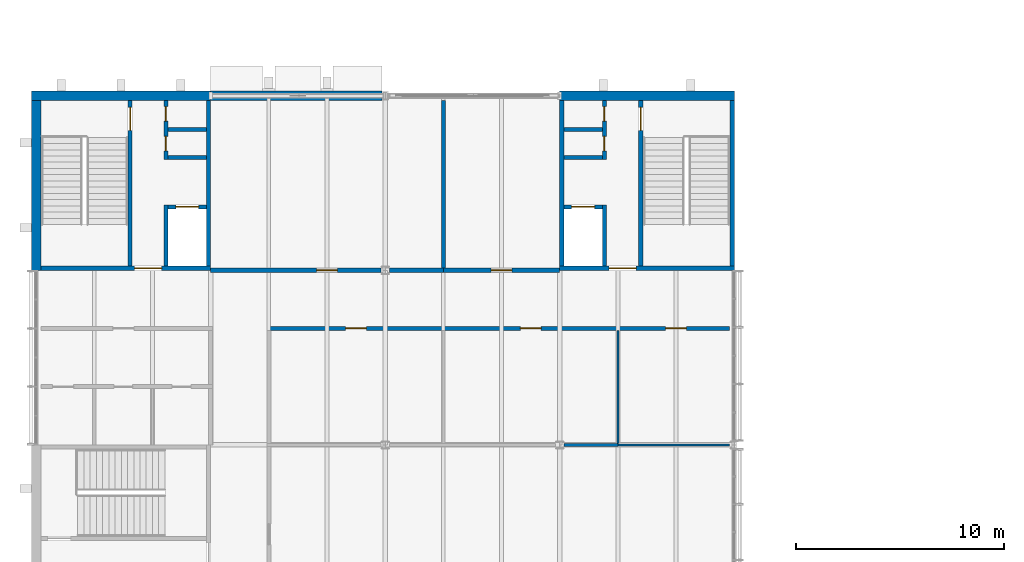
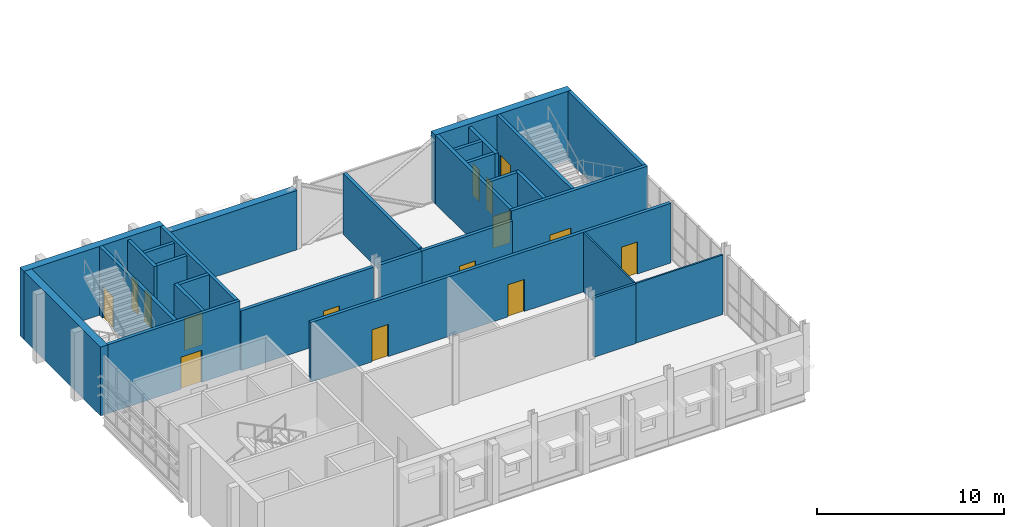
# One storey, part 15 of 22: 29 walls, 15 doors, 15 openings.
"""IFC4 building model written with IfcOpenShell, lengths in metres."""

from ifc_helpers import new_model, si_unit, direction, frame, frame_2d, origin, place, context, subcontext, project, spatial, rectangle, extrude, material, layer, layer_set, type_object, element, fill, save


model = new_model("IFC4")

# Units and contexts
model_context = context("Model", 3, precision=1e-05, world=origin(), true_north=direction((0.0, 1.0)))
body_context = subcontext(model_context, "Body", "Model", "MODEL_VIEW")
ifc_project = project(units=[si_unit("LENGTHUNIT", "METRE"), si_unit("AREAUNIT", "SQUARE_METRE"), si_unit("VOLUMEUNIT", "CUBIC_METRE"), si_unit("PLANEANGLEUNIT", "RADIAN"), si_unit("MASSUNIT", "GRAM", prefix="KILO")], contexts=[model_context])

# Site, building, storey
site_placement = place(None, origin())
site = spatial("IfcSite", under=ifc_project, at=site_placement, CompositionType="ELEMENT")
building_placement = place(site_placement, origin())
building = spatial("IfcBuilding", under=site, at=building_placement, Name="Ardhachandra Cancer Care Centre", CompositionType="ELEMENT")
storey_placement = place(building_placement, frame((0.0, 0.0, 18.0)))
storey = spatial("IfcBuildingStorey", under=building, at=storey_placement, Name="L04", CompositionType="ELEMENT", Elevation=18.0)

# Wall, openings, doors
ifc_material_1 = material(Name="Gypsum board corridor partition on steel studs", Category="steel")
ifc_layer_1 = layer(ifc_material_1, 0.199951171875)
ifc_layer_set_1 = layer_set([ifc_layer_1], Name="Gypsum board corridor partition on steel studs")
wall_type_1 = type_object("IfcWallType", Name="CORRIDOR WALL 200", PredefinedType="PARTITIONING", material=ifc_layer_set_1)
wall_1_placement = place(storey_placement, frame((21.89990234375, 85.39990234375, 0.0), z_axis=(0.0, 0.0, 1.0), x_axis=(1.0, 0.0, 0.0)))
wall_1 = element("IfcWall", 1, at=wall_1_placement, inside=storey, type_object=wall_type_1, Name="R/wall/L04/h0085400_0021900", PredefinedType="PARTITIONING", context=body_context, shape_type="SweptSolid", body=[
    extrude(rectangle(XDim=22.275146484375, YDim=0.199951171875, at=frame_2d((11.1376953125, 0.0))), origin(), (0.0, 0.0, 1.0), 3.89990234375),
])
opening_1_placement = place(wall_1_placement, frame((3.800048828125, 0.0, 0.0)))
opening_1 = element("IfcOpeningElement", 2, at=opening_1_placement, cuts=wall_1, Name="Opening L04-0006", PredefinedType="OPENING", context=body_context, shape_type="SweptSolid", body=[
    extrude(rectangle(XDim=1.0, YDim=2.10009765625, at=frame_2d((0.5, 1.050048828125))), frame((0.0, 0.10986328125, 0.0), z_axis=(0.0, -1.0, 0.0), x_axis=(1.0, 0.0, 0.0)), (0.0, 0.0, 1.0), 0.219970703125),
])
opening_2_placement = place(wall_1_placement, frame((12.199951171875, 0.0, 0.0)))
opening_2 = element("IfcOpeningElement", 3, at=opening_2_placement, cuts=wall_1, Name="Opening L04-0007", PredefinedType="OPENING", context=body_context, shape_type="SweptSolid", body=[
    extrude(rectangle(XDim=1.0, YDim=2.10009765625, at=frame_2d((0.5, 1.050048828125))), frame((0.0, 0.10986328125, 0.0), z_axis=(0.0, -1.0, 0.0), x_axis=(1.0, 0.0, 0.0)), (0.0, 0.0, 1.0), 0.219970703125),
])
opening_3_placement = place(wall_1_placement, frame((19.199951171875, 0.0, 0.0)))
opening_3 = element("IfcOpeningElement", 4, at=opening_3_placement, cuts=wall_1, Name="Opening L04-0008", PredefinedType="OPENING", context=body_context, shape_type="SweptSolid", body=[
    extrude(rectangle(XDim=1.0, YDim=2.10009765625, at=frame_2d((0.5, 1.050048828125))), frame((0.0, 0.10986328125, 0.0), z_axis=(0.0, -1.0, 0.0), x_axis=(1.0, 0.0, 0.0)), (0.0, 0.0, 1.0), 0.219970703125),
])
ifc_material_2 = material(Name="Timber fire door with smoke seals", Category="wood")
door_type_1 = type_object("IfcDoorType", Name="FIRE DOOR SINGLE 1000x2100 FD30S", OperationType="NOTDEFINED", PredefinedType="DOOR", material=ifc_material_2)
door_1_placement = place(opening_1_placement, origin())
door_1 = element("IfcDoor", 5, at=door_1_placement, inside=storey, type_object=door_type_1, Name="Door L04-0006", OperationType="SINGLE_SWING_LEFT", OverallHeight=2.10009765625, OverallWidth=1.0, PredefinedType="DOOR", context=body_context, shape_type="SweptSolid", body=[
    extrude(rectangle(XDim=1.0, YDim=2.10009765625, at=frame_2d((0.5, 1.050048828125))), frame((0.0, 0.02490234375, 0.0), z_axis=(0.0, -1.0, 0.0), x_axis=(1.0, 0.0, 0.0)), (0.0, 0.0, 1.0), 0.050048828125),
])
fill(opening_1, door_1)
door_2_placement = place(opening_2_placement, origin())
door_2 = element("IfcDoor", 6, at=door_2_placement, inside=storey, type_object=door_type_1, Name="Door L04-0007", OperationType="SINGLE_SWING_RIGHT", OverallHeight=2.10009765625, OverallWidth=1.0, PredefinedType="DOOR", context=body_context, shape_type="SweptSolid", body=[
    extrude(rectangle(XDim=1.0, YDim=2.10009765625, at=frame_2d((0.5, 1.050048828125))), frame((0.0, 0.02490234375, 0.0), z_axis=(0.0, -1.0, 0.0), x_axis=(1.0, 0.0, 0.0)), (0.0, 0.0, 1.0), 0.050048828125),
])
fill(opening_2, door_2)
door_3_placement = place(opening_3_placement, origin())
door_3 = element("IfcDoor", 7, at=door_3_placement, inside=storey, type_object=door_type_1, Name="Door L04-0008", OperationType="SINGLE_SWING_LEFT", OverallHeight=2.10009765625, OverallWidth=1.0, PredefinedType="DOOR", context=body_context, shape_type="SweptSolid", body=[
    extrude(rectangle(XDim=1.0, YDim=2.10009765625, at=frame_2d((0.5, 1.050048828125))), frame((0.0, 0.02490234375, 0.0), z_axis=(0.0, -1.0, 0.0), x_axis=(1.0, 0.0, 0.0)), (0.0, 0.0, 1.0), 0.050048828125),
])
fill(opening_3, door_3)

# Wall, opening, door
wall_2_placement = place(storey_placement, frame((30.39990234375, 88.199951171875, 0.0), z_axis=(0.0, 0.0, 1.0), x_axis=(1.0, 0.0, 0.0)))
wall_2 = element("IfcWall", 8, at=wall_2_placement, inside=storey, type_object=wall_type_1, Name="R/wall/L04/h0088200_0030400", PredefinedType="PARTITIONING", context=body_context, shape_type="SweptSolid", body=[
    extrude(rectangle(XDim=5.60009765625, YDim=0.199951171875, at=frame_2d((2.800048828125, 0.0))), origin(), (0.0, 0.0, 1.0), 3.89990234375),
])
opening_4_placement = place(wall_2_placement, frame((2.300048828125, 0.0, 0.0)))
opening_4 = element("IfcOpeningElement", 9, at=opening_4_placement, cuts=wall_2, Name="Opening L04-0010", PredefinedType="OPENING", context=body_context, shape_type="SweptSolid", body=[
    extrude(rectangle(XDim=1.0, YDim=2.10009765625, at=frame_2d((0.5, 1.050048828125))), frame((0.0, 0.10986328125, 0.0), z_axis=(0.0, -1.0, 0.0), x_axis=(1.0, 0.0, 0.0)), (0.0, 0.0, 1.0), 0.219970703125),
])
door_4_placement = place(opening_4_placement, origin())
door_4 = element("IfcDoor", 10, at=door_4_placement, inside=storey, type_object=door_type_1, Name="Door L04-0010", OperationType="SINGLE_SWING_LEFT", OverallHeight=2.10009765625, OverallWidth=1.0, PredefinedType="DOOR", context=body_context, shape_type="SweptSolid", body=[
    extrude(rectangle(XDim=1.0, YDim=2.10009765625, at=frame_2d((0.5, 1.050048828125))), frame((0.0, 0.02490234375, 0.0), z_axis=(0.0, -1.0, 0.0), x_axis=(1.0, 0.0, 0.0)), (0.0, 0.0, 1.0), 0.050048828125),
])
fill(opening_4, door_4)

# Walls
ifc_material_3 = material(Name="Concrete M40", Category="concrete")
ifc_layer_2 = layer(ifc_material_3, 0.449951171875)
ifc_layer_set_2 = layer_set([ifc_layer_2], Name="Concrete M40")
wall_type_2 = type_object("IfcWallType", Name="Core exterior wall RC 450", PredefinedType="SOLIDWALL", material=ifc_layer_set_2)
wall_3_placement = place(storey_placement, frame((10.574951171875, 96.60009765625, 0.0), z_axis=(0.0, 0.0, 1.0), x_axis=(1.0, 0.0, 0.0)))
element("IfcWall", 11, at=wall_3_placement, inside=storey, type_object=wall_type_2, Name="Core wall K4 FAR", PredefinedType="SOLIDWALL", context=body_context, shape_type="SweptSolid", body=[
    extrude(rectangle(XDim=8.625, YDim=0.449951171875, at=frame_2d((4.3125, 0.0))), origin(), (0.0, 0.0, 1.0), 4.5),
])
wall_4_placement = place(storey_placement, frame((10.800048828125, 88.199951171875, 0.0), z_axis=(0.0, 0.0, 1.0), x_axis=(0.0, 1.0, 0.0)))
element("IfcWall", 12, at=wall_4_placement, inside=storey, type_object=wall_type_2, Name="Core wall K4 UW", PredefinedType="SOLIDWALL", context=body_context, shape_type="SweptSolid", body=[
    extrude(rectangle(XDim=8.175048828125, YDim=0.449951171875, at=frame_2d((4.08740234375, 0.0))), origin(), (0.0, 0.0, 1.0), 4.5),
])
wall_5_placement = place(storey_placement, frame((44.39990234375, 96.60009765625, 0.0), z_axis=(0.0, 0.0, 1.0), x_axis=(-1.0, 0.0, 0.0)))
element("IfcWall", 13, at=wall_5_placement, inside=storey, type_object=wall_type_2, Name="Core wall K5 FAR", PredefinedType="SOLIDWALL", context=body_context, shape_type="SweptSolid", body=[
    extrude(rectangle(XDim=8.39990234375, YDim=0.449951171875, at=frame_2d((4.199951171875, 0.0))), origin(), (0.0, 0.0, 1.0), 4.5),
])

# Wall, opening, door
ifc_material_4 = material(Name="Concrete M40", Category="concrete")
ifc_layer_3 = layer(ifc_material_4, 0.199951171875)
ifc_layer_set_3 = layer_set([ifc_layer_3], Name="Concrete M40")
wall_type_3 = type_object("IfcWallType", Name="Core wall RC 200", PredefinedType="SOLIDWALL", material=ifc_layer_set_3)
wall_6_placement = place(storey_placement, frame((11.02490234375, 88.300048828125, 0.0), z_axis=(0.0, 0.0, 1.0), x_axis=(1.0, 0.0, 0.0)))
wall_6 = element("IfcWall", 14, at=wall_6_placement, inside=storey, type_object=wall_type_3, Name="Core wall K4 ENT", PredefinedType="SOLIDWALL", context=body_context, shape_type="SweptSolid", body=[
    extrude(rectangle(XDim=8.175048828125, YDim=0.199951171875, at=frame_2d((4.08740234375, 0.0))), origin(), (0.0, 0.0, 1.0), 4.5),
])
opening_5_placement = place(wall_6_placement, frame((4.512451171875, 0.0, 0.0)))
opening_5 = element("IfcOpeningElement", 15, at=opening_5_placement, cuts=wall_6, Name="Opening L04-K04-1", PredefinedType="OPENING", context=body_context, shape_type="SweptSolid", body=[
    extrude(rectangle(XDim=1.300048828125, YDim=2.10009765625, at=frame_2d((0.64990234375, 1.050048828125))), frame((0.0, 0.10986328125, 0.0), z_axis=(0.0, -1.0, 0.0), x_axis=(1.0, 0.0, 0.0)), (0.0, 0.0, 1.0), 0.219970703125),
])
ifc_material_5 = material(Name="Steel door set", Category="steel")
door_type_2 = type_object("IfcDoorType", Name="Core entry double door 1300x2100 FD60", OperationType="DOUBLE_DOOR_DOUBLE_SWING", PredefinedType="DOOR", material=ifc_material_5)
door_5_placement = place(opening_5_placement, origin())
door_5 = element("IfcDoor", 16, at=door_5_placement, inside=storey, type_object=door_type_2, Name="Core entry door", OperationType="DOUBLE_DOOR_DOUBLE_SWING", OverallHeight=2.10009765625, OverallWidth=1.300048828125, PredefinedType="DOOR", context=body_context, shape_type="SweptSolid", body=[
    extrude(rectangle(XDim=1.300048828125, YDim=2.10009765625, at=frame_2d((0.64990234375, 1.050048828125))), frame((0.0, 0.02490234375, 0.0), z_axis=(0.0, -1.0, 0.0), x_axis=(1.0, 0.0, 0.0)), (0.0, 0.0, 1.0), 0.050048828125),
])
fill(opening_5, door_5)

# Wall
wall_7_placement = place(storey_placement, frame((19.10009765625, 88.39990234375, 0.0), z_axis=(0.0, 0.0, 1.0), x_axis=(0.0, 1.0, 0.0)))
element("IfcWall", 17, at=wall_7_placement, inside=storey, type_object=wall_type_3, Name="Core wall K4 UE", PredefinedType="SOLIDWALL", context=body_context, shape_type="SweptSolid", body=[
    extrude(rectangle(XDim=7.97509765625, YDim=0.199951171875, at=frame_2d((3.987548828125, 0.0))), origin(), (0.0, 0.0, 1.0), 4.5),
])

# Wall, opening, door
wall_8_placement = place(storey_placement, frame((15.324951171875, 88.39990234375, 0.0), z_axis=(0.0, 0.0, 1.0), x_axis=(0.0, 1.0, 0.0)))
wall_8 = element("IfcWall", 18, at=wall_8_placement, inside=storey, type_object=wall_type_3, Name="Core wall K4 P1", PredefinedType="SOLIDWALL", context=body_context, shape_type="SweptSolid", body=[
    extrude(rectangle(XDim=7.97509765625, YDim=0.199951171875, at=frame_2d((3.987548828125, 0.0))), origin(), (0.0, 0.0, 1.0), 4.5),
])
opening_6_placement = place(wall_8_placement, frame((6.53759765625, 0.0, 0.0)))
opening_6 = element("IfcOpeningElement", 19, at=opening_6_placement, cuts=wall_8, Name="Opening L04-K04-2", PredefinedType="OPENING", context=body_context, shape_type="SweptSolid", body=[
    extrude(rectangle(XDim=1.10009765625, YDim=2.10009765625, at=frame_2d((0.550048828125, 1.050048828125))), frame((0.0, 0.10986328125, 0.0), z_axis=(0.0, -1.0, 0.0), x_axis=(1.0, 0.0, 0.0)), (0.0, 0.0, 1.0), 0.219970703125),
])
ifc_material_6 = material(Name="Steel door set", Category="steel")
door_type_3 = type_object("IfcDoorType", Name="Stair door 1100x2100 FD60S", OperationType="NOTDEFINED", PredefinedType="DOOR", material=ifc_material_6)
door_6_placement = place(opening_6_placement, origin())
door_6 = element("IfcDoor", 20, at=door_6_placement, inside=storey, type_object=door_type_3, Name="Stair door", OperationType="SINGLE_SWING_RIGHT", OverallHeight=2.10009765625, OverallWidth=1.10009765625, PredefinedType="DOOR", context=body_context, shape_type="SweptSolid", body=[
    extrude(rectangle(XDim=1.10009765625, YDim=2.10009765625, at=frame_2d((0.550048828125, 1.050048828125))), frame((0.0, 0.02490234375, 0.0), z_axis=(0.0, -1.0, 0.0), x_axis=(1.0, 0.0, 0.0)), (0.0, 0.0, 1.0), 0.050048828125),
])
fill(opening_6, door_6)

# Wall
wall_9_placement = place(storey_placement, frame((17.050048828125, 88.39990234375, 0.0), z_axis=(0.0, 0.0, 1.0), x_axis=(0.0, 1.0, 0.0)))
element("IfcWall", 21, at=wall_9_placement, inside=storey, type_object=wall_type_3, Name="Core wall K4 P2A", PredefinedType="SOLIDWALL", context=body_context, shape_type="SweptSolid", body=[
    extrude(rectangle(XDim=2.9501953125, YDim=0.199951171875, at=frame_2d((1.47509765625, 0.0))), origin(), (0.0, 0.0, 1.0), 4.5),
])

# Wall, openings, doors
wall_10_placement = place(storey_placement, frame((17.050048828125, 93.52490234375, 0.0), z_axis=(0.0, 0.0, 1.0), x_axis=(0.0, 1.0, 0.0)))
wall_10 = element("IfcWall", 22, at=wall_10_placement, inside=storey, type_object=wall_type_3, Name="Core wall K4 P2B", PredefinedType="SOLIDWALL", context=body_context, shape_type="SweptSolid", body=[
    extrude(rectangle(XDim=2.85009765625, YDim=0.199951171875, at=frame_2d((1.425048828125, 0.0))), origin(), (0.0, 0.0, 1.0), 4.300048828125),
])
opening_7_placement = place(wall_10_placement, frame((0.425048828125, 0.0, 0.0)))
opening_7 = element("IfcOpeningElement", 23, at=opening_7_placement, cuts=wall_10, Name="Opening L04-K04-4", PredefinedType="OPENING", context=body_context, shape_type="SweptSolid", body=[
    extrude(rectangle(XDim=0.699951171875, YDim=2.10009765625, at=frame_2d((0.35009765625, 1.050048828125))), frame((0.0, 0.10986328125, 0.0), z_axis=(0.0, -1.0, 0.0), x_axis=(1.0, 0.0, 0.0)), (0.0, 0.0, 1.0), 0.219970703125),
])
opening_8_placement = place(wall_10_placement, frame((1.85009765625, 0.0, 0.0)))
opening_8 = element("IfcOpeningElement", 24, at=opening_8_placement, cuts=wall_10, Name="Opening L04-K04-5", PredefinedType="OPENING", context=body_context, shape_type="SweptSolid", body=[
    extrude(rectangle(XDim=0.699951171875, YDim=2.10009765625, at=frame_2d((0.35009765625, 1.050048828125))), frame((0.0, 0.10986328125, 0.0), z_axis=(0.0, -1.0, 0.0), x_axis=(1.0, 0.0, 0.0)), (0.0, 0.0, 1.0), 0.219970703125),
])
ifc_material_7 = material(Name="Steel door set", Category="steel")
door_type_4 = type_object("IfcDoorType", Name="Riser access door 700x2100 FD120S", OperationType="NOTDEFINED", PredefinedType="DOOR", material=ifc_material_7)
door_7_placement = place(opening_7_placement, origin())
door_7 = element("IfcDoor", 25, at=door_7_placement, inside=storey, type_object=door_type_4, Name="Riser access door", OperationType="SINGLE_SWING_LEFT", OverallHeight=2.10009765625, OverallWidth=0.699951171875, PredefinedType="DOOR", context=body_context, shape_type="SweptSolid", body=[
    extrude(rectangle(XDim=0.699951171875, YDim=2.10009765625, at=frame_2d((0.35009765625, 1.050048828125))), frame((0.0, 0.02490234375, 0.0), z_axis=(0.0, -1.0, 0.0), x_axis=(1.0, 0.0, 0.0)), (0.0, 0.0, 1.0), 0.050048828125),
])
fill(opening_7, door_7)
door_8_placement = place(opening_8_placement, origin())
door_8 = element("IfcDoor", 26, at=door_8_placement, inside=storey, type_object=door_type_4, Name="Riser access door", OperationType="SINGLE_SWING_RIGHT", OverallHeight=2.10009765625, OverallWidth=0.699951171875, PredefinedType="DOOR", context=body_context, shape_type="SweptSolid", body=[
    extrude(rectangle(XDim=0.699951171875, YDim=2.10009765625, at=frame_2d((0.35009765625, 1.050048828125))), frame((0.0, 0.02490234375, 0.0), z_axis=(0.0, -1.0, 0.0), x_axis=(1.0, 0.0, 0.0)), (0.0, 0.0, 1.0), 0.050048828125),
])
fill(opening_8, door_8)

# Wall, opening, door
wall_11_placement = place(storey_placement, frame((17.14990234375, 91.25, 0.0), z_axis=(0.0, 0.0, 1.0), x_axis=(1.0, 0.0, 0.0)))
wall_11 = element("IfcWall", 27, at=wall_11_placement, inside=storey, type_object=wall_type_3, Name="Core wall K4 W1", PredefinedType="SOLIDWALL", context=body_context, shape_type="SweptSolid", body=[
    extrude(rectangle(XDim=1.85009765625, YDim=0.199951171875, at=frame_2d((0.925048828125, 0.0))), origin(), (0.0, 0.0, 1.0), 4.5),
])
opening_9_placement = place(wall_11_placement, frame((0.375, 0.0, 0.0)))
opening_9 = element("IfcOpeningElement", 28, at=opening_9_placement, cuts=wall_11, Name="Opening L04-K04-3", PredefinedType="OPENING", context=body_context, shape_type="SweptSolid", body=[
    extrude(rectangle(XDim=1.10009765625, YDim=2.10009765625, at=frame_2d((0.550048828125, 1.050048828125))), frame((0.0, 0.10986328125, 0.0), z_axis=(0.0, -1.0, 0.0), x_axis=(1.0, 0.0, 0.0)), (0.0, 0.0, 1.0), 0.219970703125),
])
ifc_material_8 = material(Name="Stainless steel (grade 304)", Category="steel")
door_type_5 = type_object("IfcDoorType", Name="Lift landing door 1100x2100", OperationType="DOUBLE_DOOR_SLIDING", PredefinedType="DOOR", material=ifc_material_8)
door_9_placement = place(opening_9_placement, origin())
door_9 = element("IfcDoor", 29, at=door_9_placement, inside=storey, type_object=door_type_5, Name="Lift landing door LF-K4-1", OperationType="DOUBLE_DOOR_SLIDING", OverallHeight=2.10009765625, OverallWidth=1.10009765625, PredefinedType="DOOR", context=body_context, shape_type="SweptSolid", body=[
    extrude(rectangle(XDim=1.10009765625, YDim=2.10009765625, at=frame_2d((0.550048828125, 1.050048828125))), frame((0.0, 0.02490234375, 0.0), z_axis=(0.0, -1.0, 0.0), x_axis=(1.0, 0.0, 0.0)), (0.0, 0.0, 1.0), 0.050048828125),
])
fill(opening_9, door_9)

# Walls
for number, where, z_axis, x_axis, name in (
    (30, (17.14990234375, 93.625, 0.0), (0.0, 0.0, 1.0), (1.0, 0.0, 0.0), "Core wall K4 W2"),
    (31, (17.14990234375, 94.97509765625, 0.0), (0.0, 0.0, 1.0), (1.0, 0.0, 0.0), "Core wall K4 DIV"),
):
    element("IfcWall", number, at=place(storey_placement, frame(where, z_axis=z_axis, x_axis=x_axis)), inside=storey, type_object=wall_type_3, Name=name, PredefinedType="SOLIDWALL", context=body_context, shape_type="SweptSolid", body=[
        extrude(rectangle(XDim=1.85009765625, YDim=0.199951171875, at=frame_2d((0.925048828125, 0.0))), origin(), (0.0, 0.0, 1.0), 4.300048828125),
    ])

# Wall, opening, door
wall_12_placement = place(storey_placement, frame((44.39990234375, 88.300048828125, 0.0), z_axis=(0.0, 0.0, 1.0), x_axis=(-1.0, 0.0, 0.0)))
wall_12 = element("IfcWall", 32, at=wall_12_placement, inside=storey, type_object=wall_type_3, Name="Core wall K5 ENT", PredefinedType="SOLIDWALL", context=body_context, shape_type="SweptSolid", body=[
    extrude(rectangle(XDim=8.39990234375, YDim=0.199951171875, at=frame_2d((4.199951171875, 0.0))), origin(), (0.0, 0.0, 1.0), 4.5),
])
opening_10_placement = place(wall_12_placement, frame((4.72509765625, 0.0, 0.0)))
opening_10 = element("IfcOpeningElement", 33, at=opening_10_placement, cuts=wall_12, Name="Opening L04-K05-1", PredefinedType="OPENING", context=body_context, shape_type="SweptSolid", body=[
    extrude(rectangle(XDim=1.300048828125, YDim=2.10009765625, at=frame_2d((0.64990234375, 1.050048828125))), frame((0.0, 0.10986328125, 0.0), z_axis=(0.0, -1.0, 0.0), x_axis=(1.0, 0.0, 0.0)), (0.0, 0.0, 1.0), 0.219970703125),
])
door_10_placement = place(opening_10_placement, origin())
door_10 = element("IfcDoor", 34, at=door_10_placement, inside=storey, type_object=door_type_2, Name="Core entry door", OperationType="DOUBLE_DOOR_DOUBLE_SWING", OverallHeight=2.10009765625, OverallWidth=1.300048828125, PredefinedType="DOOR", context=body_context, shape_type="SweptSolid", body=[
    extrude(rectangle(XDim=1.300048828125, YDim=2.10009765625, at=frame_2d((0.64990234375, 1.050048828125))), frame((0.0, 0.02490234375, 0.0), z_axis=(0.0, -1.0, 0.0), x_axis=(1.0, 0.0, 0.0)), (0.0, 0.0, 1.0), 0.050048828125),
])
fill(opening_10, door_10)

# Walls
for number, where, z_axis, x_axis, name in (
    (35, (44.300048828125, 88.39990234375, 0.0), (0.0, 0.0, 1.0), (0.0, 1.0, 0.0), "Core wall K5 UW"),
    (36, (36.10009765625, 88.39990234375, 0.0), (0.0, 0.0, 1.0), (0.0, 1.0, 0.0), "Core wall K5 UE"),
):
    element("IfcWall", number, at=place(storey_placement, frame(where, z_axis=z_axis, x_axis=x_axis)), inside=storey, type_object=wall_type_3, Name=name, PredefinedType="SOLIDWALL", context=body_context, shape_type="SweptSolid", body=[
        extrude(rectangle(XDim=7.97509765625, YDim=0.199951171875, at=frame_2d((3.987548828125, 0.0))), origin(), (0.0, 0.0, 1.0), 4.5),
    ])

# Wall, opening, door
wall_13_placement = place(storey_placement, frame((39.89990234375, 88.39990234375, 0.0), z_axis=(0.0, 0.0, 1.0), x_axis=(0.0, 1.0, 0.0)))
wall_13 = element("IfcWall", 37, at=wall_13_placement, inside=storey, type_object=wall_type_3, Name="Core wall K5 P1", PredefinedType="SOLIDWALL", context=body_context, shape_type="SweptSolid", body=[
    extrude(rectangle(XDim=7.97509765625, YDim=0.199951171875, at=frame_2d((3.987548828125, 0.0))), origin(), (0.0, 0.0, 1.0), 4.5),
])
opening_11_placement = place(wall_13_placement, frame((6.53759765625, 0.0, 0.0)))
opening_11 = element("IfcOpeningElement", 38, at=opening_11_placement, cuts=wall_13, Name="Opening L04-K05-2", PredefinedType="OPENING", context=body_context, shape_type="SweptSolid", body=[
    extrude(rectangle(XDim=1.10009765625, YDim=2.10009765625, at=frame_2d((0.550048828125, 1.050048828125))), frame((0.0, 0.10986328125, 0.0), z_axis=(0.0, -1.0, 0.0), x_axis=(1.0, 0.0, 0.0)), (0.0, 0.0, 1.0), 0.219970703125),
])
door_11_placement = place(opening_11_placement, origin())
door_11 = element("IfcDoor", 39, at=door_11_placement, inside=storey, type_object=door_type_3, Name="Stair door", OperationType="SINGLE_SWING_LEFT", OverallHeight=2.10009765625, OverallWidth=1.10009765625, PredefinedType="DOOR", context=body_context, shape_type="SweptSolid", body=[
    extrude(rectangle(XDim=1.10009765625, YDim=2.10009765625, at=frame_2d((0.550048828125, 1.050048828125))), frame((0.0, 0.02490234375, 0.0), z_axis=(0.0, -1.0, 0.0), x_axis=(1.0, 0.0, 0.0)), (0.0, 0.0, 1.0), 0.050048828125),
])
fill(opening_11, door_11)

# Wall
wall_14_placement = place(storey_placement, frame((38.14990234375, 88.39990234375, 0.0), z_axis=(0.0, 0.0, 1.0), x_axis=(0.0, 1.0, 0.0)))
element("IfcWall", 40, at=wall_14_placement, inside=storey, type_object=wall_type_3, Name="Core wall K5 P2A", PredefinedType="SOLIDWALL", context=body_context, shape_type="SweptSolid", body=[
    extrude(rectangle(XDim=2.9501953125, YDim=0.199951171875, at=frame_2d((1.47509765625, 0.0))), origin(), (0.0, 0.0, 1.0), 4.5),
])

# Wall, openings, doors
wall_15_placement = place(storey_placement, frame((38.14990234375, 93.52490234375, 0.0), z_axis=(0.0, 0.0, 1.0), x_axis=(0.0, 1.0, 0.0)))
wall_15 = element("IfcWall", 41, at=wall_15_placement, inside=storey, type_object=wall_type_3, Name="Core wall K5 P2B", PredefinedType="SOLIDWALL", context=body_context, shape_type="SweptSolid", body=[
    extrude(rectangle(XDim=2.85009765625, YDim=0.199951171875, at=frame_2d((1.425048828125, 0.0))), origin(), (0.0, 0.0, 1.0), 4.300048828125),
])
opening_12_placement = place(wall_15_placement, frame((0.425048828125, 0.0, 0.0)))
opening_12 = element("IfcOpeningElement", 42, at=opening_12_placement, cuts=wall_15, Name="Opening L04-K05-4", PredefinedType="OPENING", context=body_context, shape_type="SweptSolid", body=[
    extrude(rectangle(XDim=0.699951171875, YDim=2.10009765625, at=frame_2d((0.35009765625, 1.050048828125))), frame((0.0, 0.10986328125, 0.0), z_axis=(0.0, -1.0, 0.0), x_axis=(1.0, 0.0, 0.0)), (0.0, 0.0, 1.0), 0.219970703125),
])
opening_13_placement = place(wall_15_placement, frame((1.85009765625, 0.0, 0.0)))
opening_13 = element("IfcOpeningElement", 43, at=opening_13_placement, cuts=wall_15, Name="Opening L04-K05-5", PredefinedType="OPENING", context=body_context, shape_type="SweptSolid", body=[
    extrude(rectangle(XDim=0.699951171875, YDim=2.10009765625, at=frame_2d((0.35009765625, 1.050048828125))), frame((0.0, 0.10986328125, 0.0), z_axis=(0.0, -1.0, 0.0), x_axis=(1.0, 0.0, 0.0)), (0.0, 0.0, 1.0), 0.219970703125),
])
door_12_placement = place(opening_12_placement, origin())
door_12 = element("IfcDoor", 44, at=door_12_placement, inside=storey, type_object=door_type_4, Name="Riser access door", OperationType="SINGLE_SWING_RIGHT", OverallHeight=2.10009765625, OverallWidth=0.699951171875, PredefinedType="DOOR", context=body_context, shape_type="SweptSolid", body=[
    extrude(rectangle(XDim=0.699951171875, YDim=2.10009765625, at=frame_2d((0.35009765625, 1.050048828125))), frame((0.0, 0.02490234375, 0.0), z_axis=(0.0, -1.0, 0.0), x_axis=(1.0, 0.0, 0.0)), (0.0, 0.0, 1.0), 0.050048828125),
])
fill(opening_12, door_12)
door_13_placement = place(opening_13_placement, origin())
door_13 = element("IfcDoor", 45, at=door_13_placement, inside=storey, type_object=door_type_4, Name="Riser access door", OperationType="SINGLE_SWING_LEFT", OverallHeight=2.10009765625, OverallWidth=0.699951171875, PredefinedType="DOOR", context=body_context, shape_type="SweptSolid", body=[
    extrude(rectangle(XDim=0.699951171875, YDim=2.10009765625, at=frame_2d((0.35009765625, 1.050048828125))), frame((0.0, 0.02490234375, 0.0), z_axis=(0.0, -1.0, 0.0), x_axis=(1.0, 0.0, 0.0)), (0.0, 0.0, 1.0), 0.050048828125),
])
fill(opening_13, door_13)

# Wall, opening, door
wall_16_placement = place(storey_placement, frame((38.050048828125, 91.25, 0.0), z_axis=(0.0, 0.0, 1.0), x_axis=(-1.0, 0.0, 0.0)))
wall_16 = element("IfcWall", 46, at=wall_16_placement, inside=storey, type_object=wall_type_3, Name="Core wall K5 W1", PredefinedType="SOLIDWALL", context=body_context, shape_type="SweptSolid", body=[
    extrude(rectangle(XDim=1.85009765625, YDim=0.199951171875, at=frame_2d((0.925048828125, 0.0))), origin(), (0.0, 0.0, 1.0), 4.5),
])
opening_14_placement = place(wall_16_placement, frame((0.375, 0.0, 0.0)))
opening_14 = element("IfcOpeningElement", 47, at=opening_14_placement, cuts=wall_16, Name="Opening L04-K05-3", PredefinedType="OPENING", context=body_context, shape_type="SweptSolid", body=[
    extrude(rectangle(XDim=1.10009765625, YDim=2.10009765625, at=frame_2d((0.550048828125, 1.050048828125))), frame((0.0, 0.10986328125, 0.0), z_axis=(0.0, -1.0, 0.0), x_axis=(1.0, 0.0, 0.0)), (0.0, 0.0, 1.0), 0.219970703125),
])
door_14_placement = place(opening_14_placement, origin())
door_14 = element("IfcDoor", 48, at=door_14_placement, inside=storey, type_object=door_type_5, Name="Lift landing door LF-K5-1", OperationType="DOUBLE_DOOR_SLIDING", OverallHeight=2.10009765625, OverallWidth=1.10009765625, PredefinedType="DOOR", context=body_context, shape_type="SweptSolid", body=[
    extrude(rectangle(XDim=1.10009765625, YDim=2.10009765625, at=frame_2d((0.550048828125, 1.050048828125))), frame((0.0, 0.02490234375, 0.0), z_axis=(0.0, -1.0, 0.0), x_axis=(1.0, 0.0, 0.0)), (0.0, 0.0, 1.0), 0.050048828125),
])
fill(opening_14, door_14)

# Walls
for number, where, z_axis, x_axis, name in (
    (49, (38.050048828125, 93.625, 0.0), (0.0, 0.0, 1.0), (-1.0, 0.0, 0.0), "Core wall K5 W2"),
    (50, (38.050048828125, 94.97509765625, 0.0), (0.0, 0.0, 1.0), (-1.0, 0.0, 0.0), "Core wall K5 DIV"),
):
    element("IfcWall", number, at=place(storey_placement, frame(where, z_axis=z_axis, x_axis=x_axis)), inside=storey, type_object=wall_type_3, Name=name, PredefinedType="SOLIDWALL", context=body_context, shape_type="SweptSolid", body=[
        extrude(rectangle(XDim=1.85009765625, YDim=0.199951171875, at=frame_2d((0.925048828125, 0.0))), origin(), (0.0, 0.0, 1.0), 4.300048828125),
    ])
ifc_material_9 = material(Name="Brick masonry (clay brick, cement mortar) with polyisocyanurate insulation", Category="masonry")
ifc_layer_4 = layer(ifc_material_9, 0.449951171875)
ifc_layer_set_4 = layer_set([ifc_layer_4], Name="Brick masonry (clay brick, cement mortar) with polyisocyanurate insulation")
wall_type_4 = type_object("IfcWallType", Name="Insulated brick wall 450", PredefinedType="SOLIDWALL", material=ifc_layer_set_4)
wall_17_placement = place(storey_placement, frame((19.199951171875, 96.60009765625, 0.0), z_axis=(0.0, 0.0, 1.0), x_axis=(1.0, 0.0, 0.0)))
element("IfcWall", 51, at=wall_17_placement, inside=storey, type_object=wall_type_4, Name="E/wall/L04/n/0019200_0096600", PredefinedType="SOLIDWALL", context=body_context, shape_type="SweptSolid", body=[
    extrude(rectangle(XDim=8.25, YDim=0.449951171875, at=frame_2d((4.125, 0.0))), origin(), (0.0, 0.0, 1.0), 3.885986328125),
])

# Wall, opening, door
ifc_material_10 = material(Name="Brick masonry", Category="masonry")
ifc_layer_5 = layer(ifc_material_10, 0.199951171875)
ifc_layer_set_5 = layer_set([ifc_layer_5], Name="Brick masonry")
wall_type_5 = type_object("IfcWallType", Name="PLANT ROOM WALL 200", PredefinedType="SOLIDWALL", material=ifc_layer_set_5)
wall_18_placement = place(storey_placement, frame((19.199951171875, 88.199951171875, 0.0), z_axis=(0.0, 0.0, 1.0), x_axis=(1.0, 0.0, 0.0)))
wall_18 = element("IfcWall", 52, at=wall_18_placement, inside=storey, type_object=wall_type_5, Name="R/wall/L04/h0088200_0019200", PredefinedType="SOLIDWALL", context=body_context, shape_type="SweptSolid", body=[
    extrude(rectangle(XDim=8.20458984375, YDim=0.199951171875, at=frame_2d((4.102294921875, 0.0))), origin(), (0.0, 0.0, 1.0), 3.89990234375),
])
opening_15_placement = place(wall_18_placement, frame((5.10009765625, 0.0, 0.0)))
opening_15 = element("IfcOpeningElement", 53, at=opening_15_placement, cuts=wall_18, Name="Opening L04-0009", PredefinedType="OPENING", context=body_context, shape_type="SweptSolid", body=[
    extrude(rectangle(XDim=1.0, YDim=2.10009765625, at=frame_2d((0.5, 1.050048828125))), frame((0.0, 0.10986328125, 0.0), z_axis=(0.0, -1.0, 0.0), x_axis=(1.0, 0.0, 0.0)), (0.0, 0.0, 1.0), 0.219970703125),
])
ifc_material_11 = material(Name="Steel fire door", Category="steel")
door_type_6 = type_object("IfcDoorType", Name="FIRE DOOR SINGLE 1000x2100 FD60", OperationType="NOTDEFINED", PredefinedType="DOOR", material=ifc_material_11)
door_15_placement = place(opening_15_placement, origin())
door_15 = element("IfcDoor", 54, at=door_15_placement, inside=storey, type_object=door_type_6, Name="Door L04-0009", OperationType="SINGLE_SWING_LEFT", OverallHeight=2.10009765625, OverallWidth=1.0, PredefinedType="DOOR", context=body_context, shape_type="SweptSolid", body=[
    extrude(rectangle(XDim=1.0, YDim=2.10009765625, at=frame_2d((0.5, 1.050048828125))), frame((0.0, 0.02490234375, 0.0), z_axis=(0.0, -1.0, 0.0), x_axis=(1.0, 0.0, 0.0)), (0.0, 0.0, 1.0), 0.050048828125),
])
fill(opening_15, door_15)

# Walls
wall_19_placement = place(storey_placement, frame((27.79541015625, 88.199951171875, 0.0), z_axis=(0.0, 0.0, 1.0), x_axis=(1.0, 0.0, 0.0)))
element("IfcWall", 55, at=wall_19_placement, inside=storey, type_object=wall_type_5, Name="R/wall/L04/h0088200_0027796", PredefinedType="SOLIDWALL", context=body_context, shape_type="SweptSolid", body=[
    extrude(rectangle(XDim=2.6044921875, YDim=0.199951171875, at=frame_2d((1.30224609375, 0.0))), origin(), (0.0, 0.0, 1.0), 3.89990234375),
])
wall_20_placement = place(storey_placement, frame((30.39990234375, 88.300048828125, 0.0), z_axis=(0.0, 0.0, 1.0), x_axis=(0.0, 1.0, 0.0)))
element("IfcWall", 56, at=wall_20_placement, inside=storey, type_object=wall_type_5, Name="R/wall/L04/v0030400_0088300", PredefinedType="SOLIDWALL", context=body_context, shape_type="SweptSolid", body=[
    extrude(rectangle(XDim=8.074951171875, YDim=0.199951171875, at=frame_2d((4.03759765625, 0.0))), origin(), (0.0, 0.0, 1.0), 3.99609375),
])
ifc_material_12 = material(Name="Concrete block masonry", Category="masonry")
ifc_layer_6 = layer(ifc_material_12, 0.10009765625)
ifc_layer_set_6 = layer_set([ifc_layer_6], Name="Concrete block masonry")
wall_type_6 = type_object("IfcWallType", Name="STORE PARTITION 100", PredefinedType="SOLIDWALL", material=ifc_layer_set_6)
wall_21_placement = place(storey_placement, frame((38.800048828125, 79.800048828125, 0.0), z_axis=(0.0, 0.0, 1.0), x_axis=(1.0, 0.0, 0.0)))
element("IfcWall", 57, at=wall_21_placement, inside=storey, type_object=wall_type_6, Name="R/wall/L04/h0079800_0038800", PredefinedType="SOLIDWALL", context=body_context, shape_type="SweptSolid", body=[
    extrude(rectangle(XDim=5.375, YDim=0.10009765625, at=frame_2d((2.6875, 0.0))), origin(), (0.0, 0.0, 1.0), 3.89990234375),
])
wall_22_placement = place(storey_placement, frame((38.800048828125, 79.875, 0.0), z_axis=(0.0, 0.0, 1.0), x_axis=(0.0, 1.0, 0.0)))
element("IfcWall", 58, at=wall_22_placement, inside=storey, type_object=wall_type_6, Name="R/wall/L04/v0038800_0079875", PredefinedType="SOLIDWALL", context=body_context, shape_type="SweptSolid", body=[
    extrude(rectangle(XDim=5.425048828125, YDim=0.10009765625, at=frame_2d((2.71240234375, 0.0))), origin(), (0.0, 0.0, 1.0), 3.89990234375),
])
ifc_material_13 = material(Name="Tiled gypsum board partition on steel studs", Category="steel")
ifc_layer_7 = layer(ifc_material_13, 0.14990234375)
ifc_layer_set_7 = layer_set([ifc_layer_7], Name="Tiled gypsum board partition on steel studs")
wall_type_7 = type_object("IfcWallType", Name="WET ROOM PARTITION 150 EI 60", PredefinedType="PARTITIONING", material=ifc_layer_set_7)
wall_23_placement = place(storey_placement, frame((36.195556640625, 79.800048828125, 0.0), z_axis=(0.0, 0.0, 1.0), x_axis=(1.0, 0.0, 0.0)))
element("IfcWall", 59, at=wall_23_placement, inside=storey, type_object=wall_type_7, Name="R/wall/L04/h0079800_0036196", PredefinedType="PARTITIONING", context=body_context, shape_type="SweptSolid", body=[
    extrude(rectangle(XDim=2.6044921875, YDim=0.14990234375, at=frame_2d((1.30224609375, 0.0))), origin(), (0.0, 0.0, 1.0), 3.89990234375),
])

save(model, "model.ifc")
